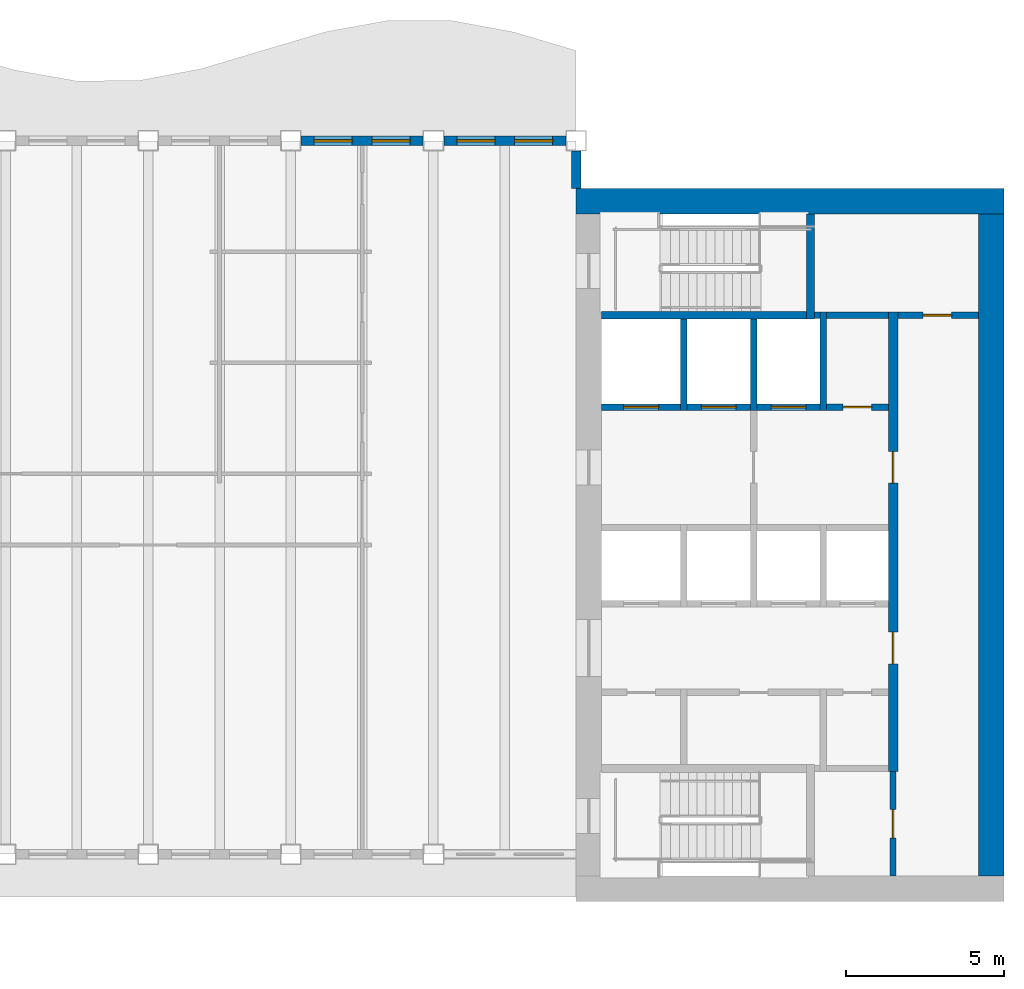
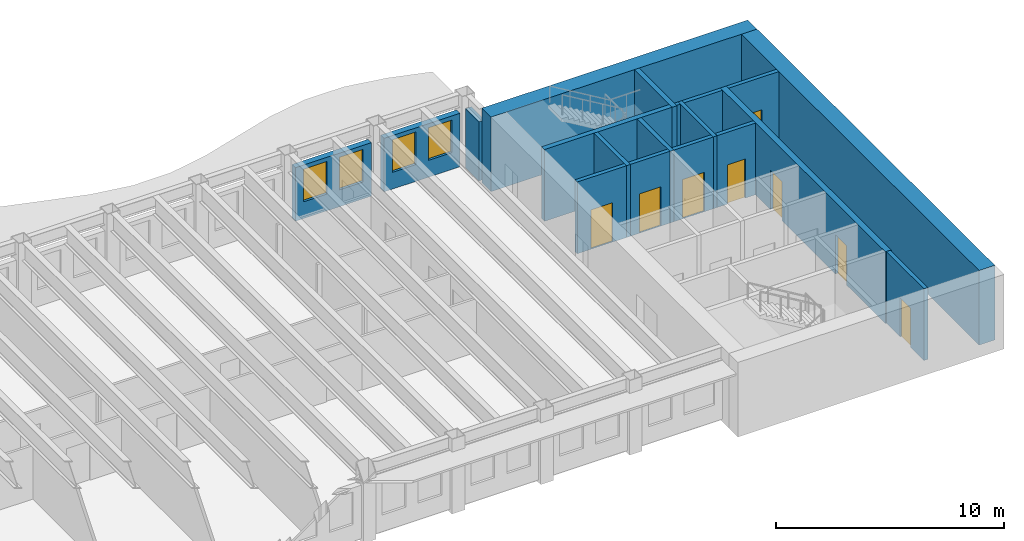
# One storey, part 6 of 12: 19 walls, 8 doors, 4 windows, 12 openings.
"""IFC4 building model written with IfcOpenShell, lengths in metres."""

import ifcopenshell
import ifcopenshell.guid

model = None  # the IFC model being written
_history = None  # IfcOwnerHistory: only IFC2X3 demands one
_inside = {}  # id of a spatial element -> (the spatial element, [elements in it])
_under = {}  # id of a project, library or spatial element -> (it, [spatial elements below it])
_declared = {}  # id of a project -> (the project, [libraries it declares])
_typed = {}  # id of a type object -> (the type object, [elements of that type])
_made_of = {}  # id of a material, layer set ... -> (it, [elements and type objects made of it])


def new_model(schema):
    """Start an empty IFC model of exactly this schema.

    Asked for "IFC4X3", IfcOpenShell would pick the latest addendum, in which some entities
    have other attributes; the version numbers below select the first issue.
    IFC2X3 requires an IfcOwnerHistory on every rooted entity: one is made here for all.
    """
    global model, _history
    if schema == "IFC4X3":
        model = ifcopenshell.file(schema_version=(4, 3, 0, 0))
    else:
        model = ifcopenshell.file(schema=schema)
    _inside.clear()
    _under.clear()
    _declared.clear()
    _typed.clear()
    _made_of.clear()
    _history = None
    if model.schema == "IFC2X3":
        org = make("IfcOrganization", Name="unknown")
        user = make(
            "IfcPersonAndOrganization",
            ThePerson=make("IfcPerson", FamilyName="unknown"),
            TheOrganization=org,
        )
        app = make(
            "IfcApplication",
            ApplicationDeveloper=org,
            Version="unknown",
            ApplicationFullName="unknown",
            ApplicationIdentifier="unknown",
        )
        _history = make(
            "IfcOwnerHistory",
            OwningUser=user,
            OwningApplication=app,
            ChangeAction="ADDED",
            CreationDate=0,
        )
    return model


def make(cls, **values):
    """One entity of the class cls with the attributes given. An attribute that is None is left unset."""
    return model.create_entity(
        cls, **{name: value for name, value in values.items() if value is not None}
    )


def rooted(cls, **values):
    """An entity with a GlobalId (a new one), such as an element, a storey or a relation."""
    return make(cls, GlobalId=ifcopenshell.guid.new(), OwnerHistory=_history, **values)


def si_unit(unit_type, name, prefix=None):
    """IfcSIUnit, for example si_unit("LENGTHUNIT", "METRE", prefix="MILLI")."""
    return make("IfcSIUnit", UnitType=unit_type, Prefix=prefix, Name=name)


def assignment(units):
    """IfcUnitAssignment: the units of a project."""
    return None if units is None else make("IfcUnitAssignment", Units=units)


def point(xyz):
    """IfcCartesianPoint."""
    return None if xyz is None else make("IfcCartesianPoint", Coordinates=xyz)


def direction(xyz):
    """IfcDirection."""
    return None if xyz is None else make("IfcDirection", DirectionRatios=xyz)


def frame(location, z_axis=None, x_axis=None):
    """IfcAxis2Placement3D, a coordinate frame: its origin and axes. An axis left out is left unset."""
    return make(
        "IfcAxis2Placement3D",
        Location=point(location),
        Axis=direction(z_axis),
        RefDirection=direction(x_axis),
    )


def frame_2d(location, x_axis=None):
    """IfcAxis2Placement2D, a coordinate frame in the plane: its origin and x axis."""
    return make(
        "IfcAxis2Placement2D", Location=point(location), RefDirection=direction(x_axis)
    )


def origin():
    """The frame at (0, 0, 0) with its axes left unset."""
    return frame((0.0, 0.0, 0.0))


def place(relative_to, where):
    """IfcLocalPlacement: puts the frame where relative to a parent placement (None: the world)."""
    return make(
        "IfcLocalPlacement", PlacementRelTo=relative_to, RelativePlacement=where
    )


def context(
    kind, dimensions, precision=None, world=None, true_north=None, identifier=None
):
    """IfcGeometricRepresentationContext, for example the 3D "Model" context."""
    return make(
        "IfcGeometricRepresentationContext",
        ContextIdentifier=identifier,
        ContextType=kind,
        CoordinateSpaceDimension=dimensions,
        Precision=precision,
        WorldCoordinateSystem=world,
        TrueNorth=true_north,
    )


def subcontext(parent, identifier, kind, view, scale=None):
    """IfcGeometricRepresentationSubContext, for example "Body" below "Model"."""
    return make(
        "IfcGeometricRepresentationSubContext",
        ContextIdentifier=identifier,
        ContextType=kind,
        ParentContext=parent,
        TargetScale=scale,
        TargetView=view,
    )


def project(units=None, contexts=None):
    """IfcProject with its units and contexts."""
    return rooted(
        "IfcProject",
        Name="project",
        RepresentationContexts=contexts,
        UnitsInContext=assignment(units),
    )


def spatial(cls, under=None, at=None, **own):
    """A site, building, storey or space (cls), placed at a placement, below another one or the project."""
    s = rooted(cls, ObjectPlacement=at, **own)
    if under is not None:
        _under.setdefault(under.id(), (under, []))[1].append(s)
    return s


def profile(cls, at=None, kind="AREA", **sizes):
    """A parametric profile (cls). Its sizes go by their IFC names, for example OverallWidth=200.0."""
    return make(cls, ProfileType=kind, Position=at, **sizes)


def rectangle(**sizes):
    """IfcRectangleProfileDef."""
    return profile("IfcRectangleProfileDef", **sizes)


def extrude(swept, where, along, depth):
    """IfcExtrudedAreaSolid: the profile swept, set in the frame where, extruded along a direction by depth."""
    return make(
        "IfcExtrudedAreaSolid",
        SweptArea=swept,
        Position=where,
        ExtrudedDirection=direction(along),
        Depth=depth,
    )


def shape(context_of_items, identifier, shape_type, items):
    """IfcShapeRepresentation: the items that make up one representation, for example the "Body"."""
    return make(
        "IfcShapeRepresentation",
        ContextOfItems=context_of_items,
        RepresentationIdentifier=identifier,
        RepresentationType=shape_type,
        Items=items,
    )


def material(Name=None, Category=None):
    """IfcMaterial."""
    return make("IfcMaterial", Name=Name, Category=Category)


def layer(
    of_material, thickness, ventilated=None, Name=None, Category=None, Priority=None
):
    """IfcMaterialLayer: one layer of a wall or slab, of a material (None: an air gap)."""
    return make(
        "IfcMaterialLayer",
        Material=of_material,
        LayerThickness=thickness,
        IsVentilated=ventilated,
        Name=Name,
        Category=Category,
        Priority=Priority,
    )


def layer_set(layers, Name=None):
    """IfcMaterialLayerSet."""
    return make("IfcMaterialLayerSet", MaterialLayers=layers, LayerSetName=Name)


def made_of(thing, what):
    """Note that an element or type object is made of a material, layer set ...; save() writes the relation."""
    if what is not None:
        _made_of.setdefault(what.id(), (what, []))[1].append(thing)
    return thing


def type_object(cls, material=None, **own):
    """A type object (cls), such as IfcWallType, which elements share."""
    return made_of(rooted(cls, **own), material)


def element(
    cls,
    number,
    at=None,
    inside=None,
    cuts=None,
    type_object=None,
    material=None,
    context=None,
    identifier="Body",
    shape_type=None,
    held_by="IfcProductDefinitionShape",
    body=None,
    shapes=None,
    **own,
):
    """One element of the class cls, such as IfcWall. Its Tag is "e" and its number.

    at: its placement. inside: the storey or other place that contains it. cuts: it is an
    opening in that element (IfcRelVoidsElement). A single representation is given by context,
    identifier, shape_type and body (its items); several are given by shapes. held_by: the class
    of the entity that holds the representations. save() writes the other relations.
    """
    e = rooted(cls, Tag="e%d" % number, ObjectPlacement=at, **own)
    if body is not None:
        shapes = [shape(context, identifier, shape_type, body)]
    if shapes is not None:
        e.Representation = make(held_by, Representations=shapes)
    if inside is not None:
        _inside.setdefault(inside.id(), (inside, []))[1].append(e)
    if cuts is not None:
        rooted(
            "IfcRelVoidsElement", RelatingBuildingElement=cuts, RelatedOpeningElement=e
        )
    if type_object is not None:
        _typed.setdefault(type_object.id(), (type_object, []))[1].append(e)
    return made_of(e, material)


def fill(opening, filler):
    """IfcRelFillsElement: the door or window that sits in an opening."""
    return rooted(
        "IfcRelFillsElement",
        RelatingOpeningElement=opening,
        RelatedBuildingElement=filler,
    )


def aggregate(whole, parts):
    """IfcRelAggregates: a whole, such as a stair, and the parts it consists of."""
    return rooted("IfcRelAggregates", RelatingObject=whole, RelatedObjects=parts)


def save(model, path):
    """Write the relations noted so far, then the file.

    IfcRelAggregates (storeys below a building ...), IfcRelContainedInSpatialStructure (elements
    in a storey), IfcRelDefinesByType, IfcRelAssociatesMaterial and IfcRelDeclares: one each for
    every whole, place, type object, material and project.
    """
    for whole, parts in _under.values():
        aggregate(whole, parts)
    for where, things in _inside.values():
        rooted(
            "IfcRelContainedInSpatialStructure",
            RelatedElements=things,
            RelatingStructure=where,
        )
    for kind, things in _typed.values():
        rooted("IfcRelDefinesByType", RelatedObjects=things, RelatingType=kind)
    for what, things in _made_of.values():
        rooted("IfcRelAssociatesMaterial", RelatedObjects=things, RelatingMaterial=what)
    for by, libraries in _declared.values():
        rooted("IfcRelDeclares", RelatingContext=by, RelatedDefinitions=libraries)
    model.write(path)


model = new_model("IFC4")

# Units and contexts
model_context = context("Model", 3, precision=1e-05, world=origin(), true_north=direction((0.0, 1.0)))
body_context = subcontext(model_context, "Body", "Model", "MODEL_VIEW")
ifc_project = project(units=[si_unit("LENGTHUNIT", "METRE"), si_unit("AREAUNIT", "SQUARE_METRE"), si_unit("VOLUMEUNIT", "CUBIC_METRE"), si_unit("PLANEANGLEUNIT", "RADIAN"), si_unit("MASSUNIT", "GRAM", prefix="KILO")], contexts=[model_context])

# Site, building, storey
site_placement = place(None, origin())
site = spatial("IfcSite", under=ifc_project, at=site_placement, CompositionType="ELEMENT")
building_placement = place(site_placement, origin())
building = spatial("IfcBuilding", under=site, at=building_placement, Name="Sennacour Bend Tower", CompositionType="ELEMENT")
storey_placement = place(building_placement, frame((0.0, 0.0, 261.0)))
storey = spatial("IfcBuildingStorey", under=building, at=storey_placement, Name="L60", CompositionType="ELEMENT", Elevation=261.0)

# Walls
ifc_material_1 = material(Name="Concrete C50/60", Category="concrete")
ifc_layer_1 = layer(ifc_material_1, 0.800048828125, Name="Concrete C50/60", Category="concrete")
ifc_layer_set_1 = layer_set([ifc_layer_1], Name="Concrete C50/60")
wall_type_1 = type_object("IfcWallType", Name="Core wall 800 C50/60", PredefinedType="SHEAR", material=ifc_layer_set_1)
wall_1_placement = place(storey_placement, frame((54.0, 22.10009765625, -0.14990234375), z_axis=(0.0, 0.0, 1.0), x_axis=(1.0, 0.0, 0.0)))
element("IfcWall", 1, at=wall_1_placement, inside=storey, type_object=wall_type_1, Name="Core A wall L60 N", PredefinedType="SHEAR", context=body_context, shape_type="SweptSolid", body=[
    extrude(rectangle(XDim=13.5, YDim=0.800048828125, at=frame_2d((6.75, 0.0))), origin(), (0.0, 0.0, 1.0), 4.0),
])
wall_2_placement = place(storey_placement, frame((67.10009765625, 0.800048828125, -0.14990234375), z_axis=(0.0, 0.0, 1.0), x_axis=(0.0, 1.0, 0.0)))
element("IfcWall", 2, at=wall_2_placement, inside=storey, type_object=wall_type_1, Name="Core A wall L60 E", PredefinedType="SHEAR", context=body_context, shape_type="SweptSolid", body=[
    extrude(rectangle(XDim=20.89990234375, YDim=0.800048828125, at=frame_2d((10.449951171875, 0.0))), origin(), (0.0, 0.0, 1.0), 4.0),
])

# Wall, opening, door
ifc_material_2 = material(Name="Fire-rated plasterboard partition on steel studs", Category="steel")
ifc_layer_2 = layer(ifc_material_2, 0.199951171875, Name="Fire-rated plasterboard partition on steel studs", Category="steel")
ifc_layer_set_2 = layer_set([ifc_layer_2], Name="Fire-rated plasterboard partition on steel studs")
wall_type_2 = type_object("IfcWallType", Name="Rated partition 200", PredefinedType="PARTITIONING", material=ifc_layer_set_2)
wall_3_placement = place(storey_placement, frame((64.0, 0.800048828125, 0.0), z_axis=(0.0, 0.0, 1.0), x_axis=(0.0, 1.0, 0.0)))
wall_3 = element("IfcWall", 3, at=wall_3_placement, inside=storey, type_object=wall_type_2, Name="P-L60-W027", PredefinedType="PARTITIONING", context=body_context, shape_type="SweptSolid", body=[
    extrude(rectangle(XDim=3.300048828125, YDim=0.199951171875, at=frame_2d((1.64990234375, 0.0))), origin(), (0.0, 0.0, 1.0), 3.85009765625),
])
opening_1_placement = place(wall_3_placement, frame((1.199951171875, 0.0, 0.0)))
opening_1 = element("IfcOpeningElement", 4, at=opening_1_placement, cuts=wall_3, Name="Opening SV", PredefinedType="OPENING", context=body_context, shape_type="SweptSolid", body=[
    extrude(rectangle(XDim=0.89990234375, YDim=2.10009765625, at=frame_2d((0.449951171875, 1.050048828125))), frame((0.0, 0.10986328125, 0.0), z_axis=(0.0, -1.0, 0.0), x_axis=(1.0, 0.0, 0.0)), (0.0, 0.0, 1.0), 0.219970703125),
])
ifc_material_3 = material(Name="Painted steel", Category="steel")
door_type_1 = type_object("IfcDoorType", Name="DR-SERVICE-900", OperationType="NOTDEFINED", PredefinedType="DOOR", material=ifc_material_3)
door_1_placement = place(opening_1_placement, origin())
door_1 = element("IfcDoor", 5, at=door_1_placement, inside=storey, type_object=door_type_1, Name="Door", OperationType="SINGLE_SWING_LEFT", OverallHeight=2.10009765625, OverallWidth=0.89990234375, PredefinedType="DOOR", context=body_context, shape_type="SweptSolid", body=[
    extrude(rectangle(XDim=0.89990234375, YDim=2.10009765625, at=frame_2d((0.449951171875, 1.050048828125))), frame((0.0, 0.02490234375, 0.0), z_axis=(0.0, -1.0, 0.0), x_axis=(1.0, 0.0, 0.0)), (0.0, 0.0, 1.0), 0.050048828125),
])
fill(opening_1, door_1)

wall_4_placement = place(storey_placement, frame((61.89990234375, 15.60009765625, 0.0), z_axis=(0.0, 0.0, 1.0), x_axis=(1.0, 0.0, 0.0)))
wall_4 = element("IfcWall", 6, at=wall_4_placement, inside=storey, type_object=wall_type_2, Name="P-L60-W043", PredefinedType="PARTITIONING", context=body_context, shape_type="SweptSolid", body=[
    extrude(rectangle(XDim=1.9501953125, YDim=0.199951171875, at=frame_2d((0.97509765625, 0.0))), origin(), (0.0, 0.0, 1.0), 3.85009765625),
])
opening_2_placement = place(wall_4_placement, frame((0.525146484375, 0.0, 0.0)))
opening_2 = element("IfcOpeningElement", 7, at=opening_2_placement, cuts=wall_4, Name="Opening SV", PredefinedType="OPENING", context=body_context, shape_type="SweptSolid", body=[
    extrude(rectangle(XDim=0.89990234375, YDim=2.10009765625, at=frame_2d((0.449951171875, 1.050048828125))), frame((0.0, 0.10986328125, 0.0), z_axis=(0.0, -1.0, 0.0), x_axis=(1.0, 0.0, 0.0)), (0.0, 0.0, 1.0), 0.219970703125),
])
door_2_placement = place(opening_2_placement, origin())
door_2 = element("IfcDoor", 8, at=door_2_placement, inside=storey, type_object=door_type_1, Name="Door", OperationType="SINGLE_SWING_RIGHT", OverallHeight=2.10009765625, OverallWidth=0.89990234375, PredefinedType="DOOR", context=body_context, shape_type="SweptSolid", body=[
    extrude(rectangle(XDim=0.89990234375, YDim=2.10009765625, at=frame_2d((0.449951171875, 1.050048828125))), frame((0.0, 0.02490234375, 0.0), z_axis=(0.0, -1.0, 0.0), x_axis=(1.0, 0.0, 0.0)), (0.0, 0.0, 1.0), 0.050048828125),
])
fill(opening_2, door_2)

# Wall
wall_5_placement = place(storey_placement, frame((61.89990234375, 18.5, 0.0), z_axis=(0.0, 0.0, 1.0), x_axis=(1.0, 0.0, 0.0)))
element("IfcWall", 9, at=wall_5_placement, inside=storey, type_object=wall_type_2, Name="P-L60-W047a", PredefinedType="PARTITIONING", context=body_context, shape_type="SweptSolid", body=[
    extrude(rectangle(XDim=1.9501953125, YDim=0.199951171875, at=frame_2d((0.97509765625, 0.0))), origin(), (0.0, 0.0, 1.0), 3.85009765625),
])

# Wall, opening, door
wall_6_placement = place(storey_placement, frame((64.14990234375, 18.5, 0.0), z_axis=(0.0, 0.0, 1.0), x_axis=(1.0, 0.0, 0.0)))
wall_6 = element("IfcWall", 10, at=wall_6_placement, inside=storey, type_object=wall_type_2, Name="P-L60-W047b", PredefinedType="PARTITIONING", context=body_context, shape_type="SweptSolid", body=[
    extrude(rectangle(XDim=2.550048828125, YDim=0.199951171875, at=frame_2d((1.27490234375, 0.0))), origin(), (0.0, 0.0, 1.0), 3.85009765625),
])
opening_3_placement = place(wall_6_placement, frame((0.800048828125, 0.0, 0.0)))
opening_3 = element("IfcOpeningElement", 11, at=opening_3_placement, cuts=wall_6, Name="Opening SV", PredefinedType="OPENING", context=body_context, shape_type="SweptSolid", body=[
    extrude(rectangle(XDim=0.89990234375, YDim=2.10009765625, at=frame_2d((0.449951171875, 1.050048828125))), frame((0.0, 0.10986328125, 0.0), z_axis=(0.0, -1.0, 0.0), x_axis=(1.0, 0.0, 0.0)), (0.0, 0.0, 1.0), 0.219970703125),
])
door_3_placement = place(opening_3_placement, origin())
door_3 = element("IfcDoor", 12, at=door_3_placement, inside=storey, type_object=door_type_1, Name="Door", OperationType="SINGLE_SWING_LEFT", OverallHeight=2.10009765625, OverallWidth=0.89990234375, PredefinedType="DOOR", context=body_context, shape_type="SweptSolid", body=[
    extrude(rectangle(XDim=0.89990234375, YDim=2.10009765625, at=frame_2d((0.449951171875, 1.050048828125))), frame((0.0, 0.02490234375, 0.0), z_axis=(0.0, -1.0, 0.0), x_axis=(1.0, 0.0, 0.0)), (0.0, 0.0, 1.0), 0.050048828125),
])
fill(opening_3, door_3)

# Wall
ifc_material_4 = material(Name="Warm limestone cladding", Category="masonry")
ifc_layer_3 = layer(ifc_material_4, 0.050048828125, Name="Warm limestone cladding", Category="masonry")
ifc_material_5 = material(Name="Precast concrete C40/50", Category="concrete")
ifc_layer_4 = layer(ifc_material_5, 0.25, Name="Precast concrete C40/50", Category="concrete")
ifc_layer_set_3 = layer_set([ifc_layer_3, ifc_layer_4], Name="Precast concrete C40/50 with limestone cladding")
wall_type_3 = type_object("IfcWallType", Name="STONE-CLAD PRECAST SPANDREL 300", PredefinedType="STANDARD", material=ifc_layer_set_3)
wall_7_placement = place(storey_placement, frame((54.0, 22.5, 0.0), z_axis=(0.0, 0.0, 1.0), x_axis=(0.0, 1.0, 0.0)))
element("IfcWall", 13, at=wall_7_placement, inside=storey, type_object=wall_type_3, Name="Stone spandrel and pier wall L60 06.00", PredefinedType="STANDARD", context=body_context, shape_type="SweptSolid", body=[
    extrude(rectangle(XDim=1.175048828125, YDim=0.300048828125, at=frame_2d((0.58740234375, 0.0))), origin(), (0.0, 0.0, 1.0), 3.162109375),
])

# Wall, openings, windows
wall_8_placement = place(storey_placement, frame((53.675048828125, 24.0, 0.0), z_axis=(0.0, 0.0, 1.0), x_axis=(-1.0, 0.0, 0.0)))
wall_8 = element("IfcWall", 14, at=wall_8_placement, inside=storey, type_object=wall_type_3, Name="Stone spandrel and pier wall L60 07.00", PredefinedType="STANDARD", context=body_context, shape_type="SweptSolid", body=[
    extrude(rectangle(XDim=3.85009765625, YDim=0.300048828125, at=frame_2d((1.925048828125, 0.0))), origin(), (0.0, 0.0, 1.0), 2.8701171875),
])
opening_4_placement = place(wall_8_placement, frame((0.41259765625, 0.0, 0.89990234375)))
opening_4 = element("IfcOpeningElement", 15, at=opening_4_placement, cuts=wall_8, Name="Opening W16", PredefinedType="OPENING", context=body_context, shape_type="SweptSolid", body=[
    extrude(rectangle(XDim=1.199951171875, YDim=1.75, at=frame_2d((0.60009765625, 0.875))), frame((0.0, 0.16015625, 0.0), z_axis=(0.0, -1.0, 0.0), x_axis=(1.0, 0.0, 0.0)), (0.0, 0.0, 1.0), 0.320068359375),
])
opening_5_placement = place(wall_8_placement, frame((2.237548828125, 0.0, 0.89990234375)))
opening_5 = element("IfcOpeningElement", 16, at=opening_5_placement, cuts=wall_8, Name="Opening W16", PredefinedType="OPENING", context=body_context, shape_type="SweptSolid", body=[
    extrude(rectangle(XDim=1.199951171875, YDim=1.75, at=frame_2d((0.60009765625, 0.875))), frame((0.0, 0.16015625, 0.0), z_axis=(0.0, -1.0, 0.0), x_axis=(1.0, 0.0, 0.0)), (0.0, 0.0, 1.0), 0.320068359375),
])
ifc_material_6 = material(Name="Clear low-emissivity glass", Category="glass")
window_type = type_object("IfcWindowType", Name="WIN-RIBBON-1200x1750", PartitioningType="SINGLE_PANEL", PredefinedType="WINDOW", material=ifc_material_6)
window_1_placement = place(opening_4_placement, origin())
window_1 = element("IfcWindow", 17, at=window_1_placement, inside=storey, type_object=window_type, Name="Ribbon window L60 07.00.0", OverallHeight=1.75, OverallWidth=1.199951171875, PartitioningType="SINGLE_PANEL", PredefinedType="WINDOW", context=body_context, shape_type="SweptSolid", body=[
    extrude(rectangle(XDim=1.199951171875, YDim=1.75, at=frame_2d((0.60009765625, 0.875))), frame((0.0, 0.030029296875, 0.0), z_axis=(0.0, -1.0, 0.0), x_axis=(1.0, 0.0, 0.0)), (0.0, 0.0, 1.0), 0.06005859375),
])
fill(opening_4, window_1)
window_2_placement = place(opening_5_placement, origin())
window_2 = element("IfcWindow", 18, at=window_2_placement, inside=storey, type_object=window_type, Name="Ribbon window L60 07.00.1", OverallHeight=1.75, OverallWidth=1.199951171875, PartitioningType="SINGLE_PANEL", PredefinedType="WINDOW", context=body_context, shape_type="SweptSolid", body=[
    extrude(rectangle(XDim=1.199951171875, YDim=1.75, at=frame_2d((0.60009765625, 0.875))), frame((0.0, 0.030029296875, 0.0), z_axis=(0.0, -1.0, 0.0), x_axis=(1.0, 0.0, 0.0)), (0.0, 0.0, 1.0), 0.06005859375),
])
fill(opening_5, window_2)

wall_9_placement = place(storey_placement, frame((49.175048828125, 24.0, 0.0), z_axis=(0.0, 0.0, 1.0), x_axis=(-1.0, 0.0, 0.0)))
wall_9 = element("IfcWall", 19, at=wall_9_placement, inside=storey, type_object=wall_type_3, Name="Stone spandrel and pier wall L60 07.01", PredefinedType="STANDARD", context=body_context, shape_type="SweptSolid", body=[
    extrude(rectangle(XDim=3.85009765625, YDim=0.300048828125, at=frame_2d((1.925048828125, 0.0))), origin(), (0.0, 0.0, 1.0), 2.8701171875),
])
opening_6_placement = place(wall_9_placement, frame((0.41259765625, 0.0, 0.89990234375)))
opening_6 = element("IfcOpeningElement", 20, at=opening_6_placement, cuts=wall_9, Name="Opening W16", PredefinedType="OPENING", context=body_context, shape_type="SweptSolid", body=[
    extrude(rectangle(XDim=1.199951171875, YDim=1.75, at=frame_2d((0.60009765625, 0.875))), frame((0.0, 0.16015625, 0.0), z_axis=(0.0, -1.0, 0.0), x_axis=(1.0, 0.0, 0.0)), (0.0, 0.0, 1.0), 0.320068359375),
])
opening_7_placement = place(wall_9_placement, frame((2.237548828125, 0.0, 0.89990234375)))
opening_7 = element("IfcOpeningElement", 21, at=opening_7_placement, cuts=wall_9, Name="Opening W16", PredefinedType="OPENING", context=body_context, shape_type="SweptSolid", body=[
    extrude(rectangle(XDim=1.199951171875, YDim=1.75, at=frame_2d((0.60009765625, 0.875))), frame((0.0, 0.16015625, 0.0), z_axis=(0.0, -1.0, 0.0), x_axis=(1.0, 0.0, 0.0)), (0.0, 0.0, 1.0), 0.320068359375),
])
window_3_placement = place(opening_6_placement, origin())
window_3 = element("IfcWindow", 22, at=window_3_placement, inside=storey, type_object=window_type, Name="Ribbon window L60 07.01.0", OverallHeight=1.75, OverallWidth=1.199951171875, PartitioningType="SINGLE_PANEL", PredefinedType="WINDOW", context=body_context, shape_type="SweptSolid", body=[
    extrude(rectangle(XDim=1.199951171875, YDim=1.75, at=frame_2d((0.60009765625, 0.875))), frame((0.0, 0.030029296875, 0.0), z_axis=(0.0, -1.0, 0.0), x_axis=(1.0, 0.0, 0.0)), (0.0, 0.0, 1.0), 0.06005859375),
])
fill(opening_6, window_3)
window_4_placement = place(opening_7_placement, origin())
window_4 = element("IfcWindow", 23, at=window_4_placement, inside=storey, type_object=window_type, Name="Ribbon window L60 07.01.1", OverallHeight=1.75, OverallWidth=1.199951171875, PartitioningType="SINGLE_PANEL", PredefinedType="WINDOW", context=body_context, shape_type="SweptSolid", body=[
    extrude(rectangle(XDim=1.199951171875, YDim=1.75, at=frame_2d((0.60009765625, 0.875))), frame((0.0, 0.030029296875, 0.0), z_axis=(0.0, -1.0, 0.0), x_axis=(1.0, 0.0, 0.0)), (0.0, 0.0, 1.0), 0.06005859375),
])
fill(opening_7, window_4)

# Walls
ifc_layer_5 = layer(ifc_material_1, 0.199951171875, Name="Concrete C50/60", Category="concrete")
ifc_layer_set_4 = layer_set([ifc_layer_5], Name="Concrete C50/60")
wall_type_4 = type_object("IfcWallType", Name="Shaft wall 200", PredefinedType="SOLIDWALL", material=ifc_layer_set_4)
for number, where, z_axis, x_axis, name in (
    (24, (57.39990234375, 15.5, 0.0), (0.0, 0.0, 1.0), (0.0, 1.0, 0.0), "P-L60-W018"),
    (25, (59.60009765625, 15.5, 0.0), (0.0, 0.0, 1.0), (0.0, 1.0, 0.0), "P-L60-W021"),
):
    element("IfcWall", number, at=place(storey_placement, frame(where, z_axis=z_axis, x_axis=x_axis)), inside=storey, type_object=wall_type_4, Name=name, PredefinedType="SOLIDWALL", context=body_context, shape_type="SweptSolid", body=[
        extrude(rectangle(XDim=2.875, YDim=0.199951171875, at=frame_2d((1.4375, 0.0))), origin(), (0.0, 0.0, 1.0), 3.85009765625),
    ])
wall_10_placement = place(storey_placement, frame((61.800048828125, 15.5, 0.0), z_axis=(0.0, 0.0, 1.0), x_axis=(0.0, 1.0, 0.0)))
element("IfcWall", 26, at=wall_10_placement, inside=storey, type_object=wall_type_4, Name="P-L60-W026", PredefinedType="SOLIDWALL", context=body_context, shape_type="SweptSolid", body=[
    extrude(rectangle(XDim=3.10009765625, YDim=0.199951171875, at=frame_2d((1.550048828125, 0.0))), origin(), (0.0, 0.0, 1.0), 3.85009765625),
])

# Wall, opening, door
wall_11_placement = place(storey_placement, frame((54.800048828125, 15.60009765625, 0.0), z_axis=(0.0, 0.0, 1.0), x_axis=(1.0, 0.0, 0.0)))
wall_11 = element("IfcWall", 27, at=wall_11_placement, inside=storey, type_object=wall_type_4, Name="P-L60-W042a", PredefinedType="SOLIDWALL", context=body_context, shape_type="SweptSolid", body=[
    extrude(rectangle(XDim=2.5, YDim=0.199951171875, at=frame_2d((1.25, 0.0))), origin(), (0.0, 0.0, 1.0), 3.85009765625),
])
opening_8_placement = place(wall_11_placement, frame((0.699951171875, 0.0, 0.011962890625)))
opening_8 = element("IfcOpeningElement", 28, at=opening_8_placement, cuts=wall_11, Name="Opening FLD", PredefinedType="OPENING", context=body_context, shape_type="SweptSolid", body=[
    extrude(rectangle(XDim=1.10009765625, YDim=2.10009765625, at=frame_2d((0.550048828125, 1.050048828125))), frame((0.0, 0.10986328125, 0.0), z_axis=(0.0, -1.0, 0.0), x_axis=(1.0, 0.0, 0.0)), (0.0, 0.0, 1.0), 0.219970703125),
])
ifc_material_7 = material(Name="Stainless steel", Category="steel")
door_type_2 = type_object("IfcDoorType", Name="DR-FF-LANDING-1100", OperationType="NOTDEFINED", PredefinedType="DOOR", material=ifc_material_7)
door_4_placement = place(opening_8_placement, origin())
door_4 = element("IfcDoor", 29, at=door_4_placement, inside=storey, type_object=door_type_2, Name="Fire service lift landing door FA1", OperationType="SLIDING_TO_LEFT", OverallHeight=2.10009765625, OverallWidth=1.10009765625, PredefinedType="DOOR", context=body_context, shape_type="SweptSolid", body=[
    extrude(rectangle(XDim=1.10009765625, YDim=2.10009765625, at=frame_2d((0.550048828125, 1.050048828125))), frame((0.0, 0.02490234375, 0.0), z_axis=(0.0, -1.0, 0.0), x_axis=(1.0, 0.0, 0.0)), (0.0, 0.0, 1.0), 0.050048828125),
])
fill(opening_8, door_4)

wall_12_placement = place(storey_placement, frame((57.5, 15.60009765625, 0.0), z_axis=(0.0, 0.0, 1.0), x_axis=(1.0, 0.0, 0.0)))
wall_12 = element("IfcWall", 30, at=wall_12_placement, inside=storey, type_object=wall_type_4, Name="P-L60-W042b", PredefinedType="SOLIDWALL", context=body_context, shape_type="SweptSolid", body=[
    extrude(rectangle(XDim=2.0, YDim=0.199951171875, at=frame_2d((1.0, 0.0))), origin(), (0.0, 0.0, 1.0), 3.85009765625),
])
opening_9_placement = place(wall_12_placement, frame((0.449951171875, 0.0, 0.011962890625)))
opening_9 = element("IfcOpeningElement", 31, at=opening_9_placement, cuts=wall_12, Name="Opening FLD", PredefinedType="OPENING", context=body_context, shape_type="SweptSolid", body=[
    extrude(rectangle(XDim=1.10009765625, YDim=2.10009765625, at=frame_2d((0.550048828125, 1.050048828125))), frame((0.0, 0.10986328125, 0.0), z_axis=(0.0, -1.0, 0.0), x_axis=(1.0, 0.0, 0.0)), (0.0, 0.0, 1.0), 0.219970703125),
])
door_5_placement = place(opening_9_placement, origin())
door_5 = element("IfcDoor", 32, at=door_5_placement, inside=storey, type_object=door_type_2, Name="Fire service lift landing door FA2", OperationType="SLIDING_TO_RIGHT", OverallHeight=2.10009765625, OverallWidth=1.10009765625, PredefinedType="DOOR", context=body_context, shape_type="SweptSolid", body=[
    extrude(rectangle(XDim=1.10009765625, YDim=2.10009765625, at=frame_2d((0.550048828125, 1.050048828125))), frame((0.0, 0.02490234375, 0.0), z_axis=(0.0, -1.0, 0.0), x_axis=(1.0, 0.0, 0.0)), (0.0, 0.0, 1.0), 0.050048828125),
])
fill(opening_9, door_5)

wall_13_placement = place(storey_placement, frame((59.699951171875, 15.60009765625, 0.0), z_axis=(0.0, 0.0, 1.0), x_axis=(1.0, 0.0, 0.0)))
wall_13 = element("IfcWall", 33, at=wall_13_placement, inside=storey, type_object=wall_type_4, Name="P-L60-W042c", PredefinedType="SOLIDWALL", context=body_context, shape_type="SweptSolid", body=[
    extrude(rectangle(XDim=2.0, YDim=0.199951171875, at=frame_2d((1.0, 0.0))), origin(), (0.0, 0.0, 1.0), 3.85009765625),
])
opening_10_placement = place(wall_13_placement, frame((0.449951171875, 0.0, 0.011962890625)))
opening_10 = element("IfcOpeningElement", 34, at=opening_10_placement, cuts=wall_13, Name="Opening LD", PredefinedType="OPENING", context=body_context, shape_type="SweptSolid", body=[
    extrude(rectangle(XDim=1.10009765625, YDim=2.10009765625, at=frame_2d((0.550048828125, 1.050048828125))), frame((0.0, 0.10986328125, 0.0), z_axis=(0.0, -1.0, 0.0), x_axis=(1.0, 0.0, 0.0)), (0.0, 0.0, 1.0), 0.219970703125),
])
door_type_3 = type_object("IfcDoorType", Name="DR-LANDING-1100", OperationType="NOTDEFINED", PredefinedType="DOOR", material=ifc_material_7)
door_6_placement = place(opening_10_placement, origin())
door_6 = element("IfcDoor", 35, at=door_6_placement, inside=storey, type_object=door_type_3, Name="Lift landing door HA5", OperationType="SLIDING_TO_LEFT", OverallHeight=2.10009765625, OverallWidth=1.10009765625, PredefinedType="DOOR", context=body_context, shape_type="SweptSolid", body=[
    extrude(rectangle(XDim=1.10009765625, YDim=2.10009765625, at=frame_2d((0.550048828125, 1.050048828125))), frame((0.0, 0.02490234375, 0.0), z_axis=(0.0, -1.0, 0.0), x_axis=(1.0, 0.0, 0.0)), (0.0, 0.0, 1.0), 0.050048828125),
])
fill(opening_10, door_6)

# Wall
wall_14_placement = place(storey_placement, frame((61.52490234375, 18.5, 0.0), z_axis=(0.0, 0.0, 1.0), x_axis=(1.0, 0.0, 0.0)))
element("IfcWall", 36, at=wall_14_placement, inside=storey, type_object=wall_type_4, Name="P-L60-W046", PredefinedType="SOLIDWALL", context=body_context, shape_type="SweptSolid", body=[
    extrude(rectangle(XDim=0.175048828125, YDim=0.199951171875, at=frame_2d((0.08740234375, 0.0))), origin(), (0.0, 0.0, 1.0), 3.85009765625),
])

# Wall, openings, doors
ifc_material_8 = material(Name="Concrete C60/75", Category="concrete")
ifc_layer_6 = layer(ifc_material_8, 0.300048828125, Name="Concrete C60/75", Category="concrete")
ifc_layer_set_5 = layer_set([ifc_layer_6], Name="Concrete C60/75")
wall_type_5 = type_object("IfcWallType", Name="Spine wall 300", PredefinedType="SHEAR", material=ifc_layer_set_5)
wall_15_placement = place(storey_placement, frame((64.0, 4.10009765625, 0.0), z_axis=(0.0, 0.0, 1.0), x_axis=(0.0, 1.0, 0.0)))
wall_15 = element("IfcWall", 37, at=wall_15_placement, inside=storey, type_object=wall_type_5, Name="P-L60-W028", PredefinedType="SHEAR", context=body_context, shape_type="SweptSolid", body=[
    extrude(rectangle(XDim=14.5, YDim=0.300048828125, at=frame_2d((7.25, 0.0))), origin(), (0.0, 0.0, 1.0), 3.85009765625),
])
opening_11_placement = place(wall_15_placement, frame((3.39990234375, 0.0, 0.0)))
opening_11 = element("IfcOpeningElement", 38, at=opening_11_placement, cuts=wall_15, Name="Opening CD2", PredefinedType="OPENING", context=body_context, shape_type="SweptSolid", body=[
    extrude(rectangle(XDim=1.0, YDim=2.10009765625, at=frame_2d((0.5, 1.050048828125))), frame((0.0, 0.16015625, 0.0), z_axis=(0.0, -1.0, 0.0), x_axis=(1.0, 0.0, 0.0)), (0.0, 0.0, 1.0), 0.320068359375),
])
opening_12_placement = place(wall_15_placement, frame((9.099853515625, 0.0, 0.0)))
opening_12 = element("IfcOpeningElement", 39, at=opening_12_placement, cuts=wall_15, Name="Opening CD2", PredefinedType="OPENING", context=body_context, shape_type="SweptSolid", body=[
    extrude(rectangle(XDim=1.0, YDim=2.10009765625, at=frame_2d((0.5, 1.050048828125))), frame((0.0, 0.16015625, 0.0), z_axis=(0.0, -1.0, 0.0), x_axis=(1.0, 0.0, 0.0)), (0.0, 0.0, 1.0), 0.320068359375),
])
door_type_4 = type_object("IfcDoorType", Name="DR-LOBBY-1000", OperationType="NOTDEFINED", PredefinedType="DOOR", material=ifc_material_3)
door_7_placement = place(opening_11_placement, origin())
door_7 = element("IfcDoor", 40, at=door_7_placement, inside=storey, type_object=door_type_4, Name="Door", OperationType="SINGLE_SWING_LEFT", OverallHeight=2.10009765625, OverallWidth=1.0, PredefinedType="DOOR", context=body_context, shape_type="SweptSolid", body=[
    extrude(rectangle(XDim=1.0, YDim=2.10009765625, at=frame_2d((0.5, 1.050048828125))), frame((0.0, 0.02490234375, 0.0), z_axis=(0.0, -1.0, 0.0), x_axis=(1.0, 0.0, 0.0)), (0.0, 0.0, 1.0), 0.050048828125),
])
fill(opening_11, door_7)
door_8_placement = place(opening_12_placement, origin())
door_8 = element("IfcDoor", 41, at=door_8_placement, inside=storey, type_object=door_type_4, Name="Door", OperationType="SINGLE_SWING_RIGHT", OverallHeight=2.10009765625, OverallWidth=1.0, PredefinedType="DOOR", context=body_context, shape_type="SweptSolid", body=[
    extrude(rectangle(XDim=1.0, YDim=2.10009765625, at=frame_2d((0.5, 1.050048828125))), frame((0.0, 0.02490234375, 0.0), z_axis=(0.0, -1.0, 0.0), x_axis=(1.0, 0.0, 0.0)), (0.0, 0.0, 1.0), 0.050048828125),
])
fill(opening_12, door_8)

# Walls
ifc_layer_7 = layer(ifc_material_8, 0.25, Name="Concrete C60/75", Category="concrete")
ifc_layer_set_6 = layer_set([ifc_layer_7], Name="Concrete C60/75")
wall_type_6 = type_object("IfcWallType", Name="Stair wall 250", PredefinedType="SHEAR", material=ifc_layer_set_6)
wall_16_placement = place(storey_placement, frame((61.39990234375, 18.375, 0.0), z_axis=(0.0, 0.0, 1.0), x_axis=(0.0, 1.0, 0.0)))
element("IfcWall", 42, at=wall_16_placement, inside=storey, type_object=wall_type_6, Name="P-L60-W023", PredefinedType="SHEAR", context=body_context, shape_type="SweptSolid", body=[
    extrude(rectangle(XDim=3.324951171875, YDim=0.25, at=frame_2d((1.66259765625, 0.0))), origin(), (0.0, 0.0, 1.0), 3.85009765625),
])
wall_17_placement = place(storey_placement, frame((54.800048828125, 18.5, 0.0), z_axis=(0.0, 0.0, 1.0), x_axis=(1.0, 0.0, 0.0)))
element("IfcWall", 43, at=wall_17_placement, inside=storey, type_object=wall_type_6, Name="P-L60-W045", PredefinedType="SHEAR", context=body_context, shape_type="SweptSolid", body=[
    extrude(rectangle(XDim=6.474853515625, YDim=0.25, at=frame_2d((3.2373046875, 0.0))), origin(), (0.0, 0.0, 1.0), 3.85009765625),
])

save(model, "model.ifc")
